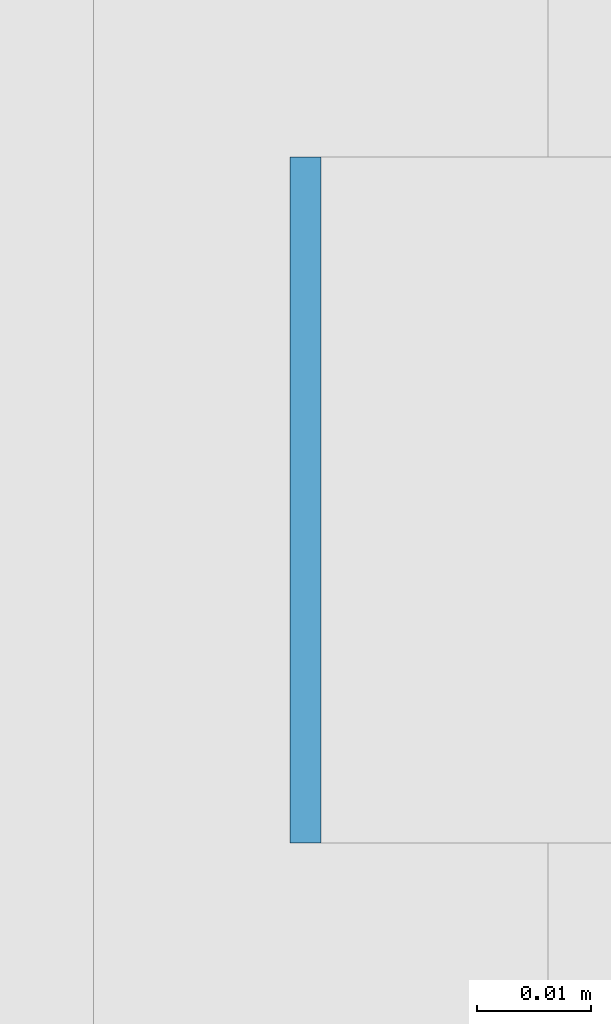
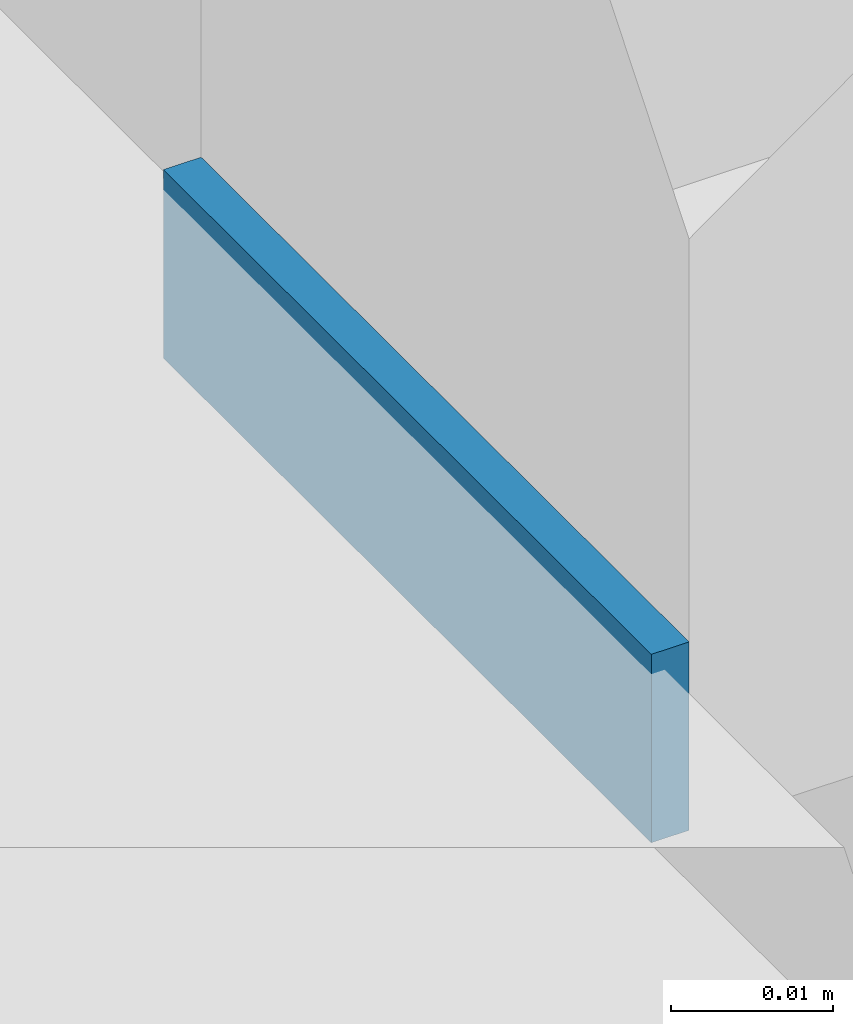
# One storey, part 598 of 646: 1 discrete accessory.
"""IFC4 building model written with IfcOpenShell, lengths in metres."""

from ifc_helpers import new_model, si_unit, direction, frame, origin, origin_2d, place, context, subcontext, project, spatial, rectangle, extrude, material, type_object, element, save


model = new_model("IFC4")

# Units and contexts
model_context = context("Model", 3, precision=1e-05, world=origin(), true_north=direction((0.0, 1.0)))
body_context = subcontext(model_context, "Body", "Model", "MODEL_VIEW")
ifc_project = project(units=[si_unit("LENGTHUNIT", "METRE"), si_unit("AREAUNIT", "SQUARE_METRE"), si_unit("VOLUMEUNIT", "CUBIC_METRE"), si_unit("PLANEANGLEUNIT", "RADIAN"), si_unit("MASSUNIT", "GRAM", prefix="KILO")], contexts=[model_context])

# Site, building, storey
site_placement = place(None, origin())
site = spatial("IfcSite", under=ifc_project, at=site_placement, CompositionType="ELEMENT")
building_placement = place(site_placement, origin())
building = spatial("IfcBuilding", under=site, at=building_placement, Name="Silverbay Arena", CompositionType="ELEMENT")
storey_placement = place(building_placement, frame((0.0, 0.0, 33.5)))
storey = spatial("IfcBuildingStorey", under=building, at=storey_placement, Name="L05", CompositionType="ELEMENT", Elevation=33.5)

# Discrete accessory
ifc_material = material(Name="Steel S355", Category="steel")
discrete_accessory_type = type_object("IfcDiscreteAccessoryType", Name="Steel bracket plate", PredefinedType="BRACKET", material=ifc_material)
discrete_accessory_placement = place(storey_placement, frame((207.128662109375, 122.142822265625, 4.0), z_axis=(0.0, 0.0, 1.0), x_axis=(1.0, 0.0, 0.0)))
element("IfcDiscreteAccessory", 1, at=discrete_accessory_placement, inside=storey, type_object=discrete_accessory_type, Name="Curtain wall packing plate", PredefinedType="BRACKET", context=body_context, shape_type="SweptSolid", body=[
    extrude(rectangle(XDim=0.002685546875, YDim=0.06005859375, at=origin_2d()), origin(), (0.0, 0.0, 1.0), 0.01416015625),
])

save(model, "model.ifc")
